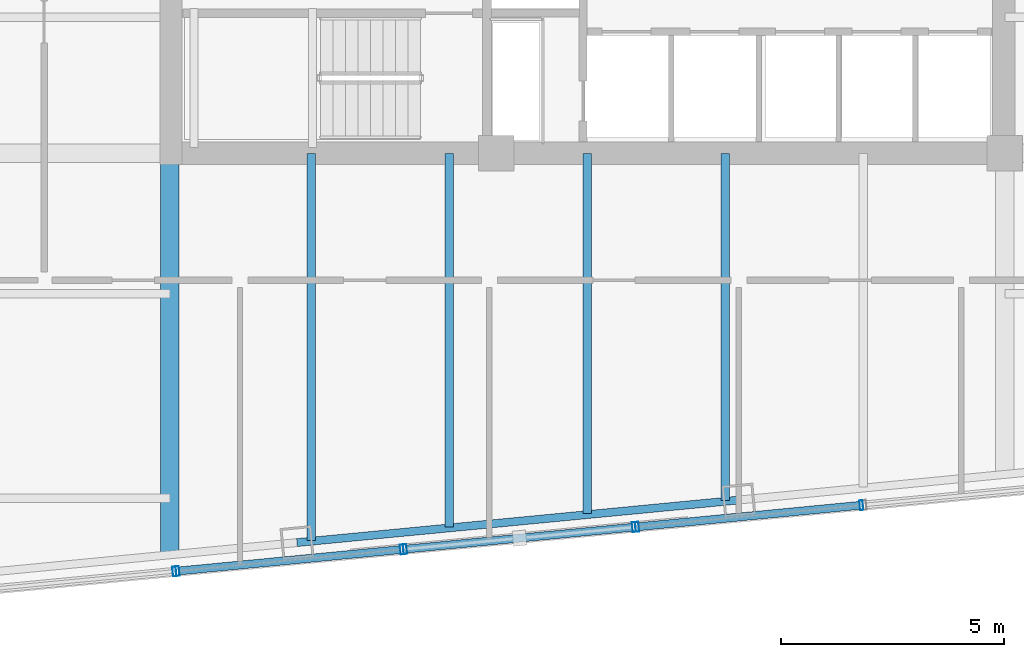
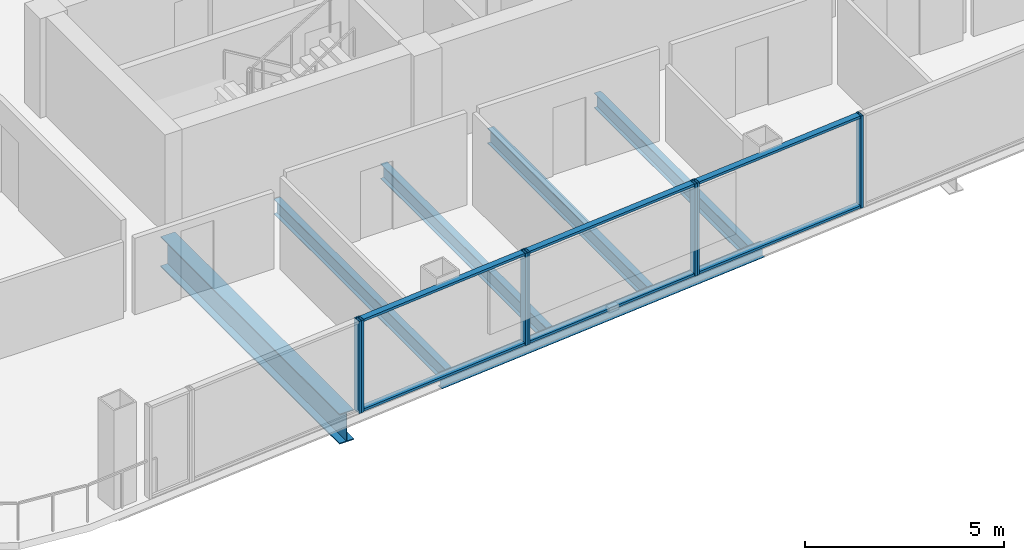
# One storey, part 4 of 22: 13 members, 6 beams, 4 elements without a shape of their own.
"""IFC4 building model written with IfcOpenShell, lengths in metres."""

from ifc_helpers import new_model, si_unit, direction, frame, origin, origin_2d, place, context, subcontext, project, spatial, hollow_rectangle, i_section, extrude, material, layer, layer_set, material_profile, profile_set, type_object, element, aggregate, save


model = new_model("IFC4")

# Units and contexts
model_context = context("Model", 3, precision=1e-05, world=origin(), true_north=direction((0.0, 1.0)))
body_context = subcontext(model_context, "Body", "Model", "MODEL_VIEW")
ifc_project = project(units=[si_unit("LENGTHUNIT", "METRE"), si_unit("AREAUNIT", "SQUARE_METRE"), si_unit("VOLUMEUNIT", "CUBIC_METRE"), si_unit("PLANEANGLEUNIT", "RADIAN"), si_unit("MASSUNIT", "GRAM", prefix="KILO")], contexts=[model_context])

# Site, building, storey
site_placement = place(None, origin())
site = spatial("IfcSite", under=ifc_project, at=site_placement, CompositionType="ELEMENT")
building_placement = place(site_placement, origin())
building = spatial("IfcBuilding", under=site, at=building_placement, Name="Qhalaya Broadcast Tower", CompositionType="ELEMENT")
storey_placement = place(building_placement, frame((0.0, 0.0, 165.300048828125)))
storey = spatial("IfcBuildingStorey", under=building, at=storey_placement, Name="L48", CompositionType="ELEMENT", Elevation=165.300048828125)

# Beams
ifc_material_1 = material(Name="Structural Steel ASTM A992 Grade 50", Category="steel")
ifc_material_profile_1 = material_profile(ifc_material_1, i_section(OverallWidth=0.19189453125, OverallDepth=0.462890625, WebThickness=0.010498046875, FlangeThickness=0.017578125, at=origin_2d()), Name="W18X60")
ifc_profile_set_1 = profile_set([ifc_material_profile_1], Name="Structural Steel ASTM A992 Grade 50")
beam_type_1 = type_object("IfcBeamType", Name="Composite Floor Joist J03", PredefinedType="JOIST", material=ifc_profile_set_1)
beam_1_placement = place(storey_placement, frame((-6.199951171875, -17.441650390625, -0.45166015625), z_axis=(0.0, 1.0, 0.0), x_axis=(-1.0, 0.0, 0.0)))
element("IfcBeam", 1, at=beam_1_placement, inside=storey, type_object=beam_type_1, Name="L48 J03 L48-JNS1-1", PredefinedType="JOIST", context=body_context, shape_type="SweptSolid", body=[
    extrude(i_section(OverallWidth=0.19189453125, OverallDepth=0.462890625, WebThickness=0.010498046875, FlangeThickness=0.017578125, at=origin_2d()), origin(), (0.0, 0.0, 1.0), 8.691650390625),
])
beam_2_placement = place(storey_placement, frame((-3.10009765625, -17.14306640625, -0.45166015625), z_axis=(0.0, 1.0, 0.0), x_axis=(-1.0, 0.0, 0.0)))
element("IfcBeam", 2, at=beam_2_placement, inside=storey, type_object=beam_type_1, Name="L48 J03 L48-JNS2-1", PredefinedType="JOIST", context=body_context, shape_type="SweptSolid", body=[
    extrude(i_section(OverallWidth=0.19189453125, OverallDepth=0.462890625, WebThickness=0.010498046875, FlangeThickness=0.017578125, at=origin_2d()), origin(), (0.0, 0.0, 1.0), 8.39306640625),
])
beam_3_placement = place(storey_placement, frame((0.0, -16.844482421875, -0.45166015625), z_axis=(0.0, 1.0, 0.0), x_axis=(-1.0, 0.0, 0.0)))
element("IfcBeam", 3, at=beam_3_placement, inside=storey, type_object=beam_type_1, Name="L48 J03 L48-JNS3-1", PredefinedType="JOIST", context=body_context, shape_type="SweptSolid", body=[
    extrude(i_section(OverallWidth=0.19189453125, OverallDepth=0.462890625, WebThickness=0.010498046875, FlangeThickness=0.017578125, at=origin_2d()), origin(), (0.0, 0.0, 1.0), 8.094482421875),
])
beam_4_placement = place(storey_placement, frame((3.10009765625, -16.546142578125, -0.45166015625), z_axis=(0.0, 1.0, 0.0), x_axis=(-1.0, 0.0, 0.0)))
element("IfcBeam", 4, at=beam_4_placement, inside=storey, type_object=beam_type_1, Name="L48 J03 L48-JNS4-1", PredefinedType="JOIST", context=body_context, shape_type="SweptSolid", body=[
    extrude(i_section(OverallWidth=0.19189453125, OverallDepth=0.462890625, WebThickness=0.010498046875, FlangeThickness=0.017578125, at=origin_2d()), origin(), (0.0, 0.0, 1.0), 7.796142578125),
])
ifc_material_profile_2 = material_profile(ifc_material_1, i_section(OverallWidth=0.4189453125, OverallDepth=0.927001953125, WebThickness=0.019287109375, FlangeThickness=0.031982421875, at=origin_2d()), Name="W36X231")
ifc_profile_set_2 = profile_set([ifc_material_profile_2], Name="Structural Steel ASTM A992 Grade 50")
beam_type_2 = type_object("IfcBeamType", Name="Mid Block Primary Girder PG3", PredefinedType="USERDEFINED", material=ifc_profile_set_2)
beam_5_placement = place(storey_placement, frame((-9.375, -17.747314453125, -0.68359375), z_axis=(0.0, 1.0, 0.0), x_axis=(-1.0, 0.0, 0.0)))
element("IfcBeam", 5, at=beam_5_placement, inside=storey, type_object=beam_type_2, Name="L48 PG3 L48-PGXS1-1", ObjectType="GIRDER", PredefinedType="USERDEFINED", context=body_context, shape_type="SweptSolid", body=[
    extrude(i_section(OverallWidth=0.4189453125, OverallDepth=0.927001953125, WebThickness=0.019287109375, FlangeThickness=0.031982421875, at=origin_2d()), origin(), (0.0, 0.0, 1.0), 8.997314453125),
])

# Curtain wall, member
ifc_material_2 = material(Name="Fired Architectural Terracotta", Category="masonry")
ifc_layer_1 = layer(ifc_material_2, 0.219970703125, Name="Fired Architectural Terracotta")
ifc_layer_set_1 = layer_set([ifc_layer_1], Name="Fired Architectural Terracotta")
curtain_wall_type_1 = type_object("IfcCurtainWallType", Name="Block-Cap Unitised Terracotta Spandrel Wall CW-07", PredefinedType="NOTDEFINED", material=ifc_layer_set_1)
curtain_wall_1_placement = place(storey_placement, origin())
curtain_wall_1 = element("IfcCurtainWall", 6, at=curtain_wall_1_placement, inside=storey, type_object=curtain_wall_type_1, Name="L48 Unitised Curtain Wall L48-CW-S2", PredefinedType="NOTDEFINED")
ifc_material_3 = material(Name="Anodised Aluminium 6063-T6", Category="aluminium")
ifc_material_profile_3 = material_profile(ifc_material_3, hollow_rectangle(XDim=0.074951171875, YDim=0.219970703125, WallThickness=0.00390625, at=origin_2d()), Name="ALU-MUL 75x220x4")
ifc_profile_set_3 = profile_set([ifc_material_profile_3], Name="Anodised Aluminium 6063-T6")
member_type_1 = type_object("IfcMemberType", Name="Unitised Curtain-Wall Mullion M01", PredefinedType="MULLION", material=ifc_profile_set_3)
member_1_placement = place(storey_placement, frame((-9.275146484375, -18.139404296875, 0.0), z_axis=(0.0, 0.0, 1.0), x_axis=(0.995395267059, 0.095855424032, 0.0)))
member_1 = element("IfcMember", 7, at=member_1_placement, type_object=member_type_1, Name="CW-07 mullion 2", PredefinedType="MULLION", context=body_context, shape_type="SweptSolid", body=[
    extrude(hollow_rectangle(XDim=0.074951171875, YDim=0.219970703125, WallThickness=0.00390625, at=origin_2d()), origin(), (0.0, 0.0, 1.0), 2.829833984375),
])
aggregate(curtain_wall_1, [member_1])

# Curtain wall, members
ifc_material_4 = material(Name="Solar-Control Low-E Triple Glazing", Category="glass")
ifc_layer_2 = layer(ifc_material_4, 0.219970703125, Name="Solar-Control Low-E Triple Glazing")
ifc_layer_set_2 = layer_set([ifc_layer_2], Name="Solar-Control Low-E Triple Glazing")
curtain_wall_type_2 = type_object("IfcCurtainWallType", Name="Even-Block 4-Storey Double-Module Curtain Wall CW-03", PredefinedType="NOTDEFINED", material=ifc_layer_set_2)
curtain_wall_2_placement = place(storey_placement, origin())
curtain_wall_2 = element("IfcCurtainWall", 8, at=curtain_wall_2_placement, inside=storey, type_object=curtain_wall_type_2, Name="L48 Unitised Curtain Wall L48-CW-S3", PredefinedType="NOTDEFINED")
member_2_placement = place(storey_placement, frame((-9.200439453125, -18.13232421875, 0.0), z_axis=(0.0, 0.0, 1.0), x_axis=(0.995395950784, 0.095848323733, 0.0)))
member_2 = element("IfcMember", 9, at=member_2_placement, type_object=member_type_1, Name="CW-03 mullion 1", PredefinedType="MULLION", context=body_context, shape_type="SweptSolid", body=[
    extrude(hollow_rectangle(XDim=0.074951171875, YDim=0.219970703125, WallThickness=0.00390625, at=origin_2d()), origin(), (0.0, 0.0, 1.0), 2.829833984375),
])
member_3_placement = place(storey_placement, frame((-4.167724609375, -17.647705078125, 0.0), z_axis=(0.0, 0.0, 1.0), x_axis=(0.995395950784, 0.095848323733, 0.0)))
member_3 = element("IfcMember", 10, at=member_3_placement, type_object=member_type_1, Name="CW-03 mullion 2", PredefinedType="MULLION", context=body_context, shape_type="SweptSolid", body=[
    extrude(hollow_rectangle(XDim=0.074951171875, YDim=0.219970703125, WallThickness=0.00390625, at=origin_2d()), origin(), (0.0, 0.0, 1.0), 2.829833984375),
])

curtain_wall_3_placement = place(storey_placement, origin())
curtain_wall_3 = element("IfcCurtainWall", 11, at=curtain_wall_3_placement, inside=storey, type_object=curtain_wall_type_1, Name="L48 Unitised Curtain Wall L48-CW-S4", PredefinedType="NOTDEFINED")
member_4_placement = place(storey_placement, frame((-4.093017578125, -17.640625, 0.0), z_axis=(0.0, 0.0, 1.0), x_axis=(0.995397089148, 0.095836500956, 0.0)))
member_4 = element("IfcMember", 12, at=member_4_placement, type_object=member_type_1, Name="CW-07 mullion 1", PredefinedType="MULLION", context=body_context, shape_type="SweptSolid", body=[
    extrude(hollow_rectangle(XDim=0.074951171875, YDim=0.219970703125, WallThickness=0.00390625, at=origin_2d()), origin(), (0.0, 0.0, 1.0), 2.829833984375),
])
member_5_placement = place(storey_placement, frame((1.044189453125, -17.14599609375, 0.0), z_axis=(0.0, 0.0, 1.0), x_axis=(0.995397089148, 0.095836500956, 0.0)))
member_5 = element("IfcMember", 13, at=member_5_placement, type_object=member_type_1, Name="CW-07 mullion 2", PredefinedType="MULLION", context=body_context, shape_type="SweptSolid", body=[
    extrude(hollow_rectangle(XDim=0.074951171875, YDim=0.219970703125, WallThickness=0.00390625, at=origin_2d()), origin(), (0.0, 0.0, 1.0), 2.829833984375),
])

curtain_wall_4_placement = place(storey_placement, origin())
curtain_wall_4 = element("IfcCurtainWall", 14, at=curtain_wall_4_placement, inside=storey, type_object=curtain_wall_type_2, Name="L48 Unitised Curtain Wall L48-CW-S5", PredefinedType="NOTDEFINED")
member_6_placement = place(storey_placement, frame((1.118896484375, -17.138671875, 0.0), z_axis=(0.0, 0.0, 1.0), x_axis=(0.995395950784, 0.095848323733, 0.0)))
member_6 = element("IfcMember", 15, at=member_6_placement, type_object=member_type_1, Name="CW-03 mullion 1", PredefinedType="MULLION", context=body_context, shape_type="SweptSolid", body=[
    extrude(hollow_rectangle(XDim=0.074951171875, YDim=0.219970703125, WallThickness=0.00390625, at=origin_2d()), origin(), (0.0, 0.0, 1.0), 2.829833984375),
])
member_7_placement = place(storey_placement, frame((6.151611328125, -16.654052734375, 0.0), z_axis=(0.0, 0.0, 1.0), x_axis=(0.995395950784, 0.095848323733, 0.0)))
member_7 = element("IfcMember", 16, at=member_7_placement, type_object=member_type_1, Name="CW-03 mullion 2", PredefinedType="MULLION", context=body_context, shape_type="SweptSolid", body=[
    extrude(hollow_rectangle(XDim=0.074951171875, YDim=0.219970703125, WallThickness=0.00390625, at=origin_2d()), origin(), (0.0, 0.0, 1.0), 2.829833984375),
])

# Member
ifc_material_profile_4 = material_profile(ifc_material_3, hollow_rectangle(XDim=0.074951171875, YDim=0.179931640625, WallThickness=0.00390625, at=origin_2d()), Name="ALU-TRN 75x180x4")
ifc_profile_set_4 = profile_set([ifc_material_profile_4], Name="Anodised Aluminium 6063-T6")
member_type_2 = type_object("IfcMemberType", Name="Unitised Curtain-Wall Transom T01", PredefinedType="USERDEFINED", material=ifc_profile_set_4)
member_8_placement = place(storey_placement, frame((-9.1630859375, -18.128662109375, 0.037353515625), z_axis=(0.995398696338, 0.095819806556, 0.0), x_axis=(0.0, 0.0, 1.0)))
member_8 = element("IfcMember", 17, at=member_8_placement, type_object=member_type_2, Name="CW-03 transom 1.1", ObjectType="TRANSOM", PredefinedType="USERDEFINED", context=body_context, shape_type="SweptSolid", body=[
    extrude(hollow_rectangle(XDim=0.074951171875, YDim=0.179931640625, WallThickness=0.00390625, at=origin_2d()), origin(), (0.0, 0.0, 1.0), 4.981201171875),
])

member_9_placement = place(storey_placement, frame((-9.1630859375, -18.128662109375, 2.79248046875), z_axis=(0.995398696338, 0.095819806556, 0.0), x_axis=(0.0, 0.0, 1.0)))
member_9 = element("IfcMember", 18, at=member_9_placement, type_object=member_type_2, Name="CW-03 transom 1.2", ObjectType="TRANSOM", PredefinedType="USERDEFINED", context=body_context, shape_type="SweptSolid", body=[
    extrude(hollow_rectangle(XDim=0.074951171875, YDim=0.179931640625, WallThickness=0.00390625, at=origin_2d()), origin(), (0.0, 0.0, 1.0), 4.981201171875),
])

aggregate(curtain_wall_2, [member_2, member_3, member_8, member_9])

member_10_placement = place(storey_placement, frame((-4.0556640625, -17.636962890625, 0.037353515625), z_axis=(0.995394593967, 0.095862413395, 0.0), x_axis=(0.0, 0.0, 1.0)))
member_10 = element("IfcMember", 19, at=member_10_placement, type_object=member_type_2, Name="CW-07 transom 1.1", ObjectType="TRANSOM", PredefinedType="USERDEFINED", context=body_context, shape_type="SweptSolid", body=[
    extrude(hollow_rectangle(XDim=0.074951171875, YDim=0.179931640625, WallThickness=0.00390625, at=origin_2d()), origin(), (0.0, 0.0, 1.0), 5.0859375),
])

member_11_placement = place(storey_placement, frame((-4.0556640625, -17.636962890625, 2.79248046875), z_axis=(0.995394593967, 0.095862413395, 0.0), x_axis=(0.0, 0.0, 1.0)))
member_11 = element("IfcMember", 20, at=member_11_placement, type_object=member_type_2, Name="CW-07 transom 1.2", ObjectType="TRANSOM", PredefinedType="USERDEFINED", context=body_context, shape_type="SweptSolid", body=[
    extrude(hollow_rectangle(XDim=0.074951171875, YDim=0.179931640625, WallThickness=0.00390625, at=origin_2d()), origin(), (0.0, 0.0, 1.0), 5.0859375),
])

aggregate(curtain_wall_3, [member_4, member_5, member_10, member_11])

member_12_placement = place(storey_placement, frame((1.15625, -17.135009765625, 0.037353515625), z_axis=(0.995398246298, 0.09582448156, 0.0), x_axis=(0.0, 0.0, 1.0)))
member_12 = element("IfcMember", 21, at=member_12_placement, type_object=member_type_2, Name="CW-03 transom 1.1", ObjectType="TRANSOM", PredefinedType="USERDEFINED", context=body_context, shape_type="SweptSolid", body=[
    extrude(hollow_rectangle(XDim=0.074951171875, YDim=0.179931640625, WallThickness=0.00390625, at=origin_2d()), origin(), (0.0, 0.0, 1.0), 4.98095703125),
])

member_13_placement = place(storey_placement, frame((1.15625, -17.135009765625, 2.79248046875), z_axis=(0.995398246298, 0.09582448156, 0.0), x_axis=(0.0, 0.0, 1.0)))
member_13 = element("IfcMember", 22, at=member_13_placement, type_object=member_type_2, Name="CW-03 transom 1.2", ObjectType="TRANSOM", PredefinedType="USERDEFINED", context=body_context, shape_type="SweptSolid", body=[
    extrude(hollow_rectangle(XDim=0.074951171875, YDim=0.179931640625, WallThickness=0.00390625, at=origin_2d()), origin(), (0.0, 0.0, 1.0), 4.98095703125),
])

aggregate(curtain_wall_4, [member_6, member_7, member_12, member_13])

# Beam
ifc_material_profile_5 = material_profile(ifc_material_1, i_section(OverallWidth=0.177978515625, OverallDepth=0.406005859375, WebThickness=0.0078125, FlangeThickness=0.0126953125, at=origin_2d()), Name="W16X40")
ifc_profile_set_5 = profile_set([ifc_material_profile_5], Name="Structural Steel ASTM A992 Grade 50")
beam_type_3 = type_object("IfcBeamType", Name="Upper Perimeter Spandrel Beam SP2", PredefinedType="SPANDREL", material=ifc_profile_set_5)
beam_6_placement = place(storey_placement, frame((-6.521240234375, -17.49267578125, -0.423095703125), z_axis=(0.99539573508, 0.095850563819, 0.0), x_axis=(-0.095850563819, 0.99539573508, 0.0)))
element("IfcBeam", 23, at=beam_6_placement, inside=storey, type_object=beam_type_3, Name="L48 SP2 L48-SPR-02", PredefinedType="SPANDREL", context=body_context, shape_type="SweptSolid", body=[
    extrude(i_section(OverallWidth=0.177978515625, OverallDepth=0.406005859375, WebThickness=0.0078125, FlangeThickness=0.0126953125, at=origin_2d()), origin(), (0.0, 0.0, 1.0), 9.966796875),
])

save(model, "model.ifc")
